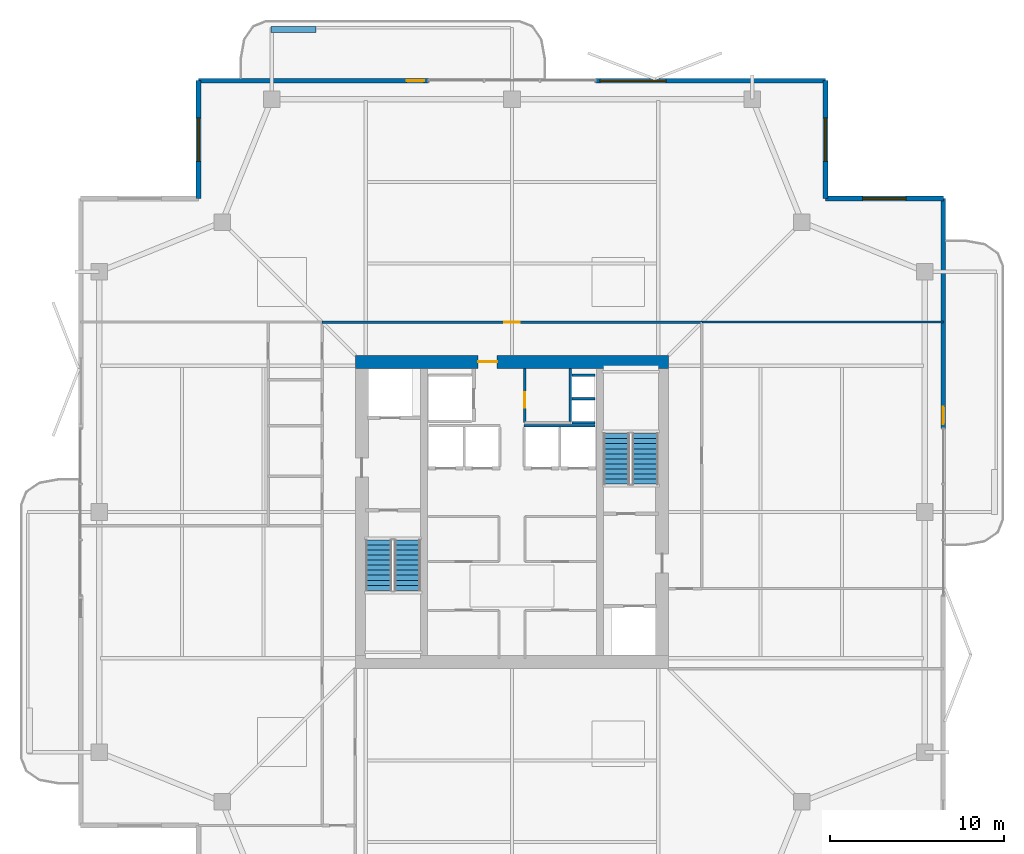
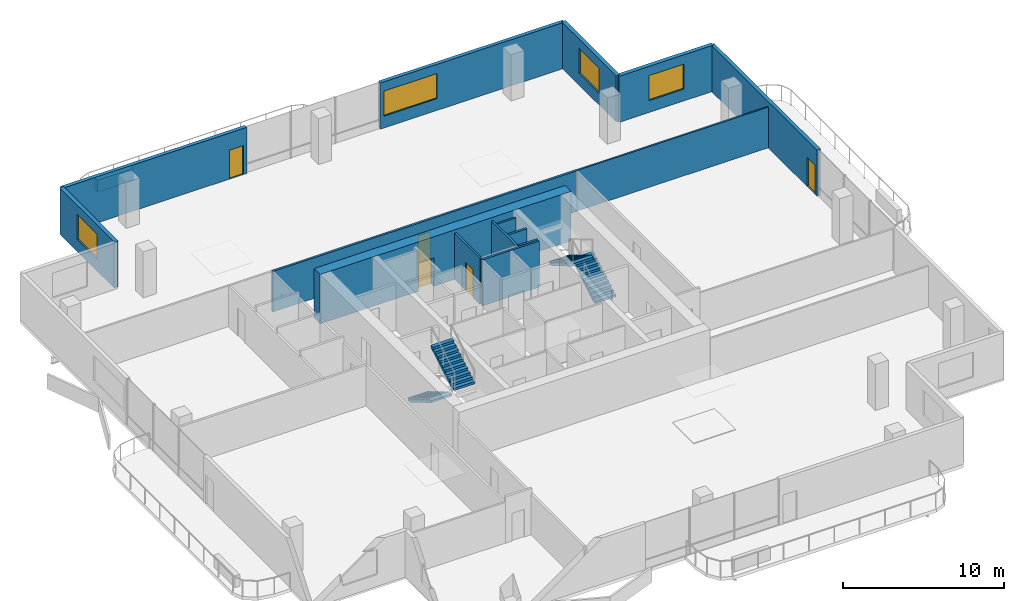
# One storey, part 20 of 24: 16 walls, 5 doors, 4 stair flights, 4 windows, 9 openings, 2 elements without a shape of their own.
"""IFC4 building model written with IfcOpenShell, lengths in metres."""

from ifc_helpers import new_model, si_unit, direction, frame, frame_2d, origin, place, context, subcontext, project, spatial, polyline, rectangle, outline, extrude, material, layer, layer_set, type_object, element, fill, aggregate, save


model = new_model("IFC4")

# Units and contexts
model_context = context("Model", 3, precision=1e-05, world=origin(), true_north=direction((0.0, 1.0)))
body_context = subcontext(model_context, "Body", "Model", "MODEL_VIEW")
ifc_project = project(units=[si_unit("LENGTHUNIT", "METRE"), si_unit("AREAUNIT", "SQUARE_METRE"), si_unit("VOLUMEUNIT", "CUBIC_METRE"), si_unit("PLANEANGLEUNIT", "RADIAN"), si_unit("MASSUNIT", "GRAM", prefix="KILO")], contexts=[model_context])

# Site, building, storey
site_placement = place(None, origin())
site = spatial("IfcSite", under=ifc_project, at=site_placement, CompositionType="ELEMENT")
building_placement = place(site_placement, origin())
building = spatial("IfcBuilding", under=site, at=building_placement, Name="Belovzor Exchange Tower", CompositionType="ELEMENT")
storey_placement = place(building_placement, frame((0.0, 0.0, 261.60009765625)))
storey = spatial("IfcBuildingStorey", under=building, at=storey_placement, Name="L65", CompositionType="ELEMENT", Elevation=261.60009765625)

# Wall
ifc_material_1 = material(Name="Acoustic Plasterboard on Galvanised Studs", Category="gypsum")
ifc_layer_1 = layer(ifc_material_1, 0.1201171875)
ifc_layer_set_1 = layer_set([ifc_layer_1], Name="Acoustic Plasterboard on Galvanised Studs")
wall_type_1 = type_object("IfcWallType", Name="Acoustic Double-Stud Partition Wall 120", PredefinedType="PARTITIONING", material=ifc_layer_set_1)
wall_1_placement = place(storey_placement, frame((39.699951171875, 39.699951171875, 0.0), z_axis=(0.0, 0.0, 1.0), x_axis=(1.0, 0.0, 0.0)))
element("IfcWall", 1, at=wall_1_placement, inside=storey, type_object=wall_type_1, Name="W-P120 Partition Wall W-L65-END-NE", PredefinedType="PARTITIONING", context=body_context, shape_type="SweptSolid", body=[
    extrude(rectangle(XDim=13.8701171875, YDim=0.1201171875, at=frame_2d((6.93505859375, 0.0))), origin(), (0.0, 0.0, 1.0), 3.0849609375),
])

# Wall, opening, door
ifc_material_2 = material(Name="Fire-Rated Gypsum Block and Mineral Wool", Category="gypsum")
ifc_layer_2 = layer(ifc_material_2, 0.14990234375)
ifc_layer_set_2 = layer_set([ifc_layer_2], Name="Fire-Rated Gypsum Block and Mineral Wool")
wall_type_2 = type_object("IfcWallType", Name="Fire-Rated Gypsum Block Corridor Wall 150", PredefinedType="PARTITIONING", material=ifc_layer_set_2)
wall_2_placement = place(storey_placement, frame((29.52490234375, 33.925048828125, 0.0), z_axis=(0.0, 0.0, 1.0), x_axis=(0.0, 1.0, 0.0)))
wall_2 = element("IfcWall", 2, at=wall_2_placement, inside=storey, type_object=wall_type_2, Name="W-P150 Partition Wall W-CRV-L65-W", PredefinedType="PARTITIONING", context=body_context, shape_type="SweptSolid", body=[
    extrude(rectangle(XDim=3.125, YDim=0.14990234375, at=frame_2d((1.5625, 0.0))), origin(), (0.0, 0.0, 1.0), 3.5),
])
opening_1_placement = place(wall_2_placement, frame((0.85009765625, 0.0, 0.0)))
opening_1 = element("IfcOpeningElement", 3, at=opening_1_placement, cuts=wall_2, Name="Opening D-FD60-090", PredefinedType="OPENING", context=body_context, shape_type="SweptSolid", body=[
    extrude(rectangle(XDim=0.89990234375, YDim=2.10009765625, at=frame_2d((0.449951171875, 1.050048828125))), frame((0.0, 0.0849609375, 0.0), z_axis=(0.0, -1.0, 0.0), x_axis=(1.0, 0.0, 0.0)), (0.0, 0.0, 1.0), 0.169921875),
])
ifc_material_3 = material(Name="Acoustic Timber Fire Leaf", Category="wood")
door_type_1 = type_object("IfcDoorType", Name="Core Service & Restroom Fire Door 900x2100", OperationType="NOTDEFINED", PredefinedType="DOOR", material=ifc_material_3)
door_1_placement = place(opening_1_placement, origin())
door_1 = element("IfcDoor", 4, at=door_1_placement, inside=storey, type_object=door_type_1, Name="D-FD60-090 Core Service & Restroom Fire Door 900x2100", OperationType="SINGLE_SWING_LEFT", OverallHeight=2.10009765625, OverallWidth=0.89990234375, PredefinedType="DOOR", context=body_context, shape_type="SweptSolid", body=[
    extrude(rectangle(XDim=0.89990234375, YDim=2.10009765625, at=frame_2d((0.449951171875, 1.050048828125))), frame((0.0, 0.02490234375, 0.0), z_axis=(0.0, -1.0, 0.0), x_axis=(1.0, 0.0, 0.0)), (0.0, 0.0, 1.0), 0.050048828125),
])
fill(opening_1, door_1)

wall_3_placement = place(storey_placement, frame((17.89990234375, 39.699951171875, 0.0), z_axis=(0.0, 0.0, 1.0), x_axis=(1.0, 0.0, 0.0)))
wall_3 = element("IfcWall", 5, at=wall_3_placement, inside=storey, type_object=wall_type_2, Name="W-P150 Partition Wall W-L65-CN", PredefinedType="PARTITIONING", context=body_context, shape_type="SweptSolid", body=[
    extrude(rectangle(XDim=21.800048828125, YDim=0.14990234375, at=frame_2d((10.89990234375, 0.0))), origin(), (0.0, 0.0, 1.0), 3.0849609375),
])
opening_2_placement = place(wall_3_placement, frame((10.449951171875, 0.0, 0.0)))
opening_2 = element("IfcOpeningElement", 6, at=opening_2_placement, cuts=wall_3, Name="Opening D-INT-090", PredefinedType="OPENING", context=body_context, shape_type="SweptSolid", body=[
    extrude(rectangle(XDim=0.89990234375, YDim=2.10009765625, at=frame_2d((0.449951171875, 1.050048828125))), frame((0.0, 0.0849609375, 0.0), z_axis=(0.0, -1.0, 0.0), x_axis=(1.0, 0.0, 0.0)), (0.0, 0.0, 1.0), 0.169921875),
])
ifc_material_4 = material(Name="Veneered Hardwood Acoustic Leaf", Category="wood")
door_type_2 = type_object("IfcDoorType", Name="Trading Suite Acoustic Single Door 900x2100", OperationType="NOTDEFINED", PredefinedType="DOOR", material=ifc_material_4)
door_2_placement = place(opening_2_placement, origin())
door_2 = element("IfcDoor", 7, at=door_2_placement, inside=storey, type_object=door_type_2, Name="D-INT-090 Trading Suite Acoustic Single Door 900x2100", OperationType="SINGLE_SWING_LEFT", OverallHeight=2.10009765625, OverallWidth=0.89990234375, PredefinedType="DOOR", context=body_context, shape_type="SweptSolid", body=[
    extrude(rectangle(XDim=0.89990234375, YDim=2.10009765625, at=frame_2d((0.449951171875, 1.050048828125))), frame((0.0, 0.02490234375, 0.0), z_axis=(0.0, -1.0, 0.0), x_axis=(1.0, 0.0, 0.0)), (0.0, 0.0, 1.0), 0.050048828125),
])
fill(opening_2, door_2)

# Wall, opening, window
ifc_material_5 = material(Name="Precast concrete C40/50", Category="concrete")
ifc_layer_3 = layer(ifc_material_5, 0.280029296875)
ifc_layer_set_3 = layer_set([ifc_layer_3], Name="Precast concrete C40/50")
wall_type_3 = type_object("IfcWallType", Name="Precast Concrete Notched Corner Frame Wall 280", PredefinedType="SOLIDWALL", material=ifc_layer_set_3)
wall_4_placement = place(storey_placement, frame((10.800048828125, 46.800048828125, 0.0), z_axis=(0.0, 0.0, 1.0), x_axis=(0.0, 1.0, 0.0)))
wall_4 = element("IfcWall", 8, at=wall_4_placement, inside=storey, type_object=wall_type_3, Name="W-CRN280 Precast Concrete Notched Corner Frame Wall 280 L65", PredefinedType="SOLIDWALL", context=body_context, shape_type="SweptSolid", body=[
    extrude(rectangle(XDim=6.77001953125, YDim=0.280029296875, at=frame_2d((3.385009765625, 0.0))), origin(), (0.0, 0.0, 1.0), 3.5),
])
opening_3_placement = place(wall_4_placement, frame((2.135009765625, 0.0, 0.89990234375)))
opening_3 = element("IfcOpeningElement", 9, at=opening_3_placement, cuts=wall_4, Name="Opening WN-CRN250", PredefinedType="OPENING", context=body_context, shape_type="SweptSolid", body=[
    extrude(rectangle(XDim=2.5, YDim=1.89990234375, at=frame_2d((1.25, 0.949951171875))), frame((0.0, 0.14990234375, 0.0), z_axis=(0.0, -1.0, 0.0), x_axis=(1.0, 0.0, 0.0)), (0.0, 0.0, 1.0), 0.300048828125),
])
ifc_material_6 = material(Name="Thermally Broken Aluminium and Triple Glazing", Category="aluminium")
window_type_1 = type_object("IfcWindowType", Name="Streamline Moderne Corner Wrap Ribbon Window 2500x1900", PartitioningType="SINGLE_PANEL", PredefinedType="WINDOW", material=ifc_material_6)
window_1_placement = place(opening_3_placement, origin())
window_1 = element("IfcWindow", 10, at=window_1_placement, inside=storey, type_object=window_type_1, Name="WN-CRN250 Streamline Moderne Corner Wrap Ribbon Window 2500x1900", OverallHeight=1.89990234375, OverallWidth=2.5, PartitioningType="SINGLE_PANEL", PredefinedType="WINDOW", context=body_context, shape_type="SweptSolid", body=[
    extrude(rectangle(XDim=2.5, YDim=1.89990234375, at=frame_2d((1.25, 0.949951171875))), frame((0.0, 0.030029296875, 0.0), z_axis=(0.0, -1.0, 0.0), x_axis=(1.0, 0.0, 0.0)), (0.0, 0.0, 1.0), 0.06005859375),
])
fill(opening_3, window_1)

wall_5_placement = place(storey_placement, frame((46.800048828125, 53.570068359375, 0.0), z_axis=(0.0, 0.0, 1.0), x_axis=(0.0, -1.0, 0.0)))
wall_5 = element("IfcWall", 11, at=wall_5_placement, inside=storey, type_object=wall_type_3, Name="W-CRN280 Precast Concrete Notched Corner Frame Wall 280 L65", PredefinedType="SOLIDWALL", context=body_context, shape_type="SweptSolid", body=[
    extrude(rectangle(XDim=6.77001953125, YDim=0.280029296875, at=frame_2d((3.385009765625, 0.0))), origin(), (0.0, 0.0, 1.0), 3.5),
])
opening_4_placement = place(wall_5_placement, frame((2.135009765625, 0.0, 0.89990234375)))
opening_4 = element("IfcOpeningElement", 12, at=opening_4_placement, cuts=wall_5, Name="Opening WN-CRN250", PredefinedType="OPENING", context=body_context, shape_type="SweptSolid", body=[
    extrude(rectangle(XDim=2.5, YDim=1.89990234375, at=frame_2d((1.25, 0.949951171875))), frame((0.0, 0.14990234375, 0.0), z_axis=(0.0, -1.0, 0.0), x_axis=(1.0, 0.0, 0.0)), (0.0, 0.0, 1.0), 0.300048828125),
])
window_2_placement = place(opening_4_placement, origin())
window_2 = element("IfcWindow", 13, at=window_2_placement, inside=storey, type_object=window_type_1, Name="WN-CRN250 Streamline Moderne Corner Wrap Ribbon Window 2500x1900", OverallHeight=1.89990234375, OverallWidth=2.5, PartitioningType="SINGLE_PANEL", PredefinedType="WINDOW", context=body_context, shape_type="SweptSolid", body=[
    extrude(rectangle(XDim=2.5, YDim=1.89990234375, at=frame_2d((1.25, 0.949951171875))), frame((0.0, 0.030029296875, 0.0), z_axis=(0.0, -1.0, 0.0), x_axis=(1.0, 0.0, 0.0)), (0.0, 0.0, 1.0), 0.06005859375),
])
fill(opening_4, window_2)

wall_6_placement = place(storey_placement, frame((46.800048828125, 46.800048828125, 0.0), z_axis=(0.0, 0.0, 1.0), x_axis=(1.0, 0.0, 0.0)))
wall_6 = element("IfcWall", 14, at=wall_6_placement, inside=storey, type_object=wall_type_3, Name="W-CRN280 Precast Concrete Notched Corner Frame Wall 280 L65", PredefinedType="SOLIDWALL", context=body_context, shape_type="SweptSolid", body=[
    extrude(rectangle(XDim=6.77001953125, YDim=0.280029296875, at=frame_2d((3.385009765625, 0.0))), origin(), (0.0, 0.0, 1.0), 3.5),
])
opening_5_placement = place(wall_6_placement, frame((2.135009765625, 0.0, 0.89990234375)))
opening_5 = element("IfcOpeningElement", 15, at=opening_5_placement, cuts=wall_6, Name="Opening WN-CRN250", PredefinedType="OPENING", context=body_context, shape_type="SweptSolid", body=[
    extrude(rectangle(XDim=2.5, YDim=1.89990234375, at=frame_2d((1.25, 0.949951171875))), frame((0.0, 0.14990234375, 0.0), z_axis=(0.0, -1.0, 0.0), x_axis=(1.0, 0.0, 0.0)), (0.0, 0.0, 1.0), 0.300048828125),
])
window_3_placement = place(opening_5_placement, origin())
window_3 = element("IfcWindow", 16, at=window_3_placement, inside=storey, type_object=window_type_1, Name="WN-CRN250 Streamline Moderne Corner Wrap Ribbon Window 2500x1900", OverallHeight=1.89990234375, OverallWidth=2.5, PartitioningType="SINGLE_PANEL", PredefinedType="WINDOW", context=body_context, shape_type="SweptSolid", body=[
    extrude(rectangle(XDim=2.5, YDim=1.89990234375, at=frame_2d((1.25, 0.949951171875))), frame((0.0, 0.030029296875, 0.0), z_axis=(0.0, -1.0, 0.0), x_axis=(1.0, 0.0, 0.0)), (0.0, 0.0, 1.0), 0.06005859375),
])
fill(opening_5, window_3)

# Wall, opening, door
ifc_material_7 = material(Name="Precast concrete C40/50", Category="concrete")
ifc_layer_4 = layer(ifc_material_7, 0.260009765625)
ifc_layer_set_4 = layer_set([ifc_layer_4], Name="Precast concrete C40/50")
wall_type_4 = type_object("IfcWallType", Name="Precast Concrete Perimeter Loggia Frame Wall 260", PredefinedType="SOLIDWALL", material=ifc_layer_set_4)
wall_7_placement = place(storey_placement, frame((10.800048828125, 53.570068359375, 0.0), z_axis=(0.0, 0.0, 1.0), x_axis=(1.0, 0.0, 0.0)))
wall_7 = element("IfcWall", 17, at=wall_7_placement, inside=storey, type_object=wall_type_4, Name="W-EXT260 Precast Concrete Perimeter Loggia Frame Wall 260 L65", PredefinedType="SOLIDWALL", context=body_context, shape_type="SweptSolid", body=[
    extrude(rectangle(XDim=13.199951171875, YDim=0.260009765625, at=frame_2d((6.60009765625, 0.0))), origin(), (0.0, 0.0, 1.0), 3.5),
])
opening_6_placement = place(wall_7_placement, frame((11.949951171875, 0.0, 0.0)))
opening_6 = element("IfcOpeningElement", 18, at=opening_6_placement, cuts=wall_7, Name="Opening D-BAL100", PredefinedType="OPENING", context=body_context, shape_type="SweptSolid", body=[
    extrude(rectangle(XDim=1.0, YDim=2.199951171875, at=frame_2d((0.5, 1.10009765625))), frame((0.0, 0.139892578125, 0.0), z_axis=(0.0, -1.0, 0.0), x_axis=(1.0, 0.0, 0.0)), (0.0, 0.0, 1.0), 0.280029296875),
])
ifc_material_8 = material(Name="Thermally Broken Anodised Aluminium and Laminated Glass", Category="aluminium")
door_type_3 = type_object("IfcDoorType", Name="Planted Loggia Terrace Glazed Door 1000x2200", OperationType="SINGLE_SWING_LEFT", PredefinedType="DOOR", material=ifc_material_8)
door_3_placement = place(opening_6_placement, origin())
door_3 = element("IfcDoor", 19, at=door_3_placement, inside=storey, type_object=door_type_3, Name="D-BAL100 Balcony Terrace Door L65 N", OperationType="SINGLE_SWING_RIGHT", OverallHeight=2.199951171875, OverallWidth=1.0, PredefinedType="DOOR", context=body_context, shape_type="SweptSolid", body=[
    extrude(rectangle(XDim=1.0, YDim=2.199951171875, at=frame_2d((0.5, 1.10009765625))), frame((0.0, 0.02490234375, 0.0), z_axis=(0.0, -1.0, 0.0), x_axis=(1.0, 0.0, 0.0)), (0.0, 0.0, 1.0), 0.050048828125),
])
fill(opening_6, door_3)

# Wall, opening, window
wall_8_placement = place(storey_placement, frame((33.60009765625, 53.570068359375, 0.0), z_axis=(0.0, 0.0, 1.0), x_axis=(1.0, 0.0, 0.0)))
wall_8 = element("IfcWall", 20, at=wall_8_placement, inside=storey, type_object=wall_type_4, Name="W-EXT260 Precast Concrete Perimeter Loggia Frame Wall 260 L65", PredefinedType="SOLIDWALL", context=body_context, shape_type="SweptSolid", body=[
    extrude(rectangle(XDim=13.199951171875, YDim=0.260009765625, at=frame_2d((6.60009765625, 0.0))), origin(), (0.0, 0.0, 1.0), 3.5),
])
opening_7_placement = place(wall_8_placement, frame((0.25, 0.0, 0.89990234375)))
opening_7 = element("IfcOpeningElement", 21, at=opening_7_placement, cuts=wall_8, Name="Opening WN-RIB380", PredefinedType="OPENING", context=body_context, shape_type="SweptSolid", body=[
    extrude(rectangle(XDim=3.800048828125, YDim=1.89990234375, at=frame_2d((1.89990234375, 0.949951171875))), frame((0.0, 0.139892578125, 0.0), z_axis=(0.0, -1.0, 0.0), x_axis=(1.0, 0.0, 0.0)), (0.0, 0.0, 1.0), 0.280029296875),
])
ifc_material_9 = material(Name="Thermally Broken Aluminium and Triple Glazing", Category="aluminium")
window_type_2 = type_object("IfcWindowType", Name="Streamline Moderne Horizontal Ribbon Window 3800x1900", PartitioningType="SINGLE_PANEL", PredefinedType="WINDOW", material=ifc_material_9)
window_4_placement = place(opening_7_placement, origin())
window_4 = element("IfcWindow", 22, at=window_4_placement, inside=storey, type_object=window_type_2, Name="WN-RIB380 Streamline Moderne Horizontal Ribbon Window 3800x1900", OverallHeight=1.89990234375, OverallWidth=3.800048828125, PartitioningType="SINGLE_PANEL", PredefinedType="WINDOW", context=body_context, shape_type="SweptSolid", body=[
    extrude(rectangle(XDim=3.800048828125, YDim=1.89990234375, at=frame_2d((1.89990234375, 0.949951171875))), frame((0.0, 0.030029296875, 0.0), z_axis=(0.0, -1.0, 0.0), x_axis=(1.0, 0.0, 0.0)), (0.0, 0.0, 1.0), 0.06005859375),
])
fill(opening_7, window_4)

# Wall, opening, door
wall_9_placement = place(storey_placement, frame((53.570068359375, 46.800048828125, 0.0), z_axis=(0.0, 0.0, 1.0), x_axis=(0.0, -1.0, 0.0)))
wall_9 = element("IfcWall", 23, at=wall_9_placement, inside=storey, type_object=wall_type_4, Name="W-EXT260 Precast Concrete Perimeter Loggia Frame Wall 260 L65", PredefinedType="SOLIDWALL", context=body_context, shape_type="SweptSolid", body=[
    extrude(rectangle(XDim=13.199951171875, YDim=0.260009765625, at=frame_2d((6.60009765625, 0.0))), origin(), (0.0, 0.0, 1.0), 3.5),
])
opening_8_placement = place(wall_9_placement, frame((11.949951171875, 0.0, 0.0)))
opening_8 = element("IfcOpeningElement", 24, at=opening_8_placement, cuts=wall_9, Name="Opening D-BAL100", PredefinedType="OPENING", context=body_context, shape_type="SweptSolid", body=[
    extrude(rectangle(XDim=1.0, YDim=2.199951171875, at=frame_2d((0.5, 1.10009765625))), frame((0.0, 0.139892578125, 0.0), z_axis=(0.0, -1.0, 0.0), x_axis=(1.0, 0.0, 0.0)), (0.0, 0.0, 1.0), 0.280029296875),
])
door_4_placement = place(opening_8_placement, origin())
door_4 = element("IfcDoor", 25, at=door_4_placement, inside=storey, type_object=door_type_3, Name="D-BAL100 Balcony Terrace Door L65 E", OperationType="SINGLE_SWING_LEFT", OverallHeight=2.199951171875, OverallWidth=1.0, PredefinedType="DOOR", context=body_context, shape_type="SweptSolid", body=[
    extrude(rectangle(XDim=1.0, YDim=2.199951171875, at=frame_2d((0.5, 1.10009765625))), frame((0.0, 0.02490234375, 0.0), z_axis=(0.0, -1.0, 0.0), x_axis=(1.0, 0.0, 0.0)), (0.0, 0.0, 1.0), 0.050048828125),
])
fill(opening_8, door_4)

# Walls
ifc_material_10 = material(Name="Precast concrete C40/50", Category="concrete")
ifc_layer_5 = layer(ifc_material_10, 0.35009765625)
ifc_layer_set_5 = layer_set([ifc_layer_5], Name="Precast concrete C40/50")
wall_type_5 = type_object("IfcWallType", Name="Precast Concrete Structural Tree Planter Trough 350", PredefinedType="PARAPET", material=ifc_layer_set_5)
wall_10_placement = place(storey_placement, frame((14.949951171875, 56.5, 0.0), z_axis=(0.0, 0.0, 1.0), x_axis=(1.0, 0.0, 0.0)))
element("IfcWall", 26, at=wall_10_placement, inside=storey, type_object=wall_type_5, Name="PT-350 Precast Concrete Structural Tree Planter Trough 350 L65", PredefinedType="PARAPET", context=body_context, shape_type="SweptSolid", body=[
    extrude(rectangle(XDim=2.60009765625, YDim=0.35009765625, at=frame_2d((1.300048828125, 0.0))), origin(), (0.0, 0.0, 1.0), 0.89990234375),
])
ifc_material_11 = material(Name="Concrete C50/60", Category="concrete")
ifc_layer_6 = layer(ifc_material_11, 0.14990234375)
ifc_layer_set_6 = layer_set([ifc_layer_6], Name="Concrete C50/60")
wall_type_6 = type_object("IfcWallType", Name="Reinforced Concrete Core Riser Shear Wall 150", PredefinedType="SHEAR", material=ifc_layer_set_6)
wall_11_placement = place(storey_placement, frame((32.14990234375, 34.0, 0.0), z_axis=(0.0, 0.0, 1.0), x_axis=(0.0, 1.0, 0.0)))
element("IfcWall", 27, at=wall_11_placement, inside=storey, type_object=wall_type_6, Name="W-C150S Core Shaft Wall W-RSR-L65-E", PredefinedType="SHEAR", context=body_context, shape_type="SweptSolid", body=[
    extrude(rectangle(XDim=3.050048828125, YDim=0.14990234375, at=frame_2d((1.52490234375, 0.0))), origin(), (0.0, 0.0, 1.0), 3.5),
])
for number, where, z_axis, x_axis, name in (
    (28, (32.25, 33.925048828125, 0.0), (0.0, 0.0, 1.0), (1.0, 0.0, 0.0), "W-C150S Core Shaft Wall W-RSR-L65-S"),
    (29, (32.25, 35.300048828125, 0.0), (0.0, 0.0, 1.0), (1.0, 0.0, 0.0), "W-C150S Core Shaft Wall W-RSR-L65-M"),
    (30, (32.25, 36.64990234375, 0.0), (0.0, 0.0, 1.0), (1.0, 0.0, 0.0), "W-C150S Core Shaft Wall W-RSR-L65-N"),
):
    element("IfcWall", number, at=place(storey_placement, frame(where, z_axis=z_axis, x_axis=x_axis)), inside=storey, type_object=wall_type_6, Name=name, PredefinedType="SHEAR", context=body_context, shape_type="SweptSolid", body=[
        extrude(rectangle(XDim=1.330078125, YDim=0.14990234375, at=frame_2d((0.6650390625, 0.0))), origin(), (0.0, 0.0, 1.0), 3.5),
    ])
wall_12_placement = place(storey_placement, frame((29.5, 33.760009765625, 0.0), z_axis=(0.0, 0.0, 1.0), x_axis=(1.0, 0.0, 0.0)))
element("IfcWall", 31, at=wall_12_placement, inside=storey, type_object=wall_type_6, Name="W-C150S Core Shaft Wall W-SHB-L65-PLH-NE", PredefinedType="SHEAR", context=body_context, shape_type="SweptSolid", body=[
    extrude(rectangle(XDim=4.080078125, YDim=0.14990234375, at=frame_2d((2.0400390625, 0.0))), origin(), (0.0, 0.0, 1.0), 3.5),
])

# Wall, opening, door
ifc_material_12 = material(Name="Concrete C50/60", Category="concrete")
ifc_layer_7 = layer(ifc_material_12, 0.75)
ifc_layer_set_7 = layer_set([ifc_layer_7], Name="Concrete C50/60")
wall_type_7 = type_object("IfcWallType", Name="Reinforced Concrete Core Shear Wall 750", PredefinedType="SHEAR", material=ifc_layer_set_7)
wall_13_placement = place(storey_placement, frame((19.800048828125, 37.425048828125, 0.0), z_axis=(0.0, 0.0, 1.0), x_axis=(1.0, 0.0, 0.0)))
wall_13 = element("IfcWall", 32, at=wall_13_placement, inside=storey, type_object=wall_type_7, Name="CW-S075 Core Shear Wall L65 N", PredefinedType="SHEAR", context=body_context, shape_type="SweptSolid", body=[
    extrude(rectangle(XDim=18.0, YDim=0.75, at=frame_2d((9.0, 0.0))), origin(), (0.0, 0.0, 1.0), 3.75),
])
opening_9_placement = place(wall_13_placement, frame((7.050048828125, 0.0, 0.0)))
opening_9 = element("IfcOpeningElement", 33, at=opening_9_placement, cuts=wall_13, Name="Opening D-FD90-110", PredefinedType="OPENING", context=body_context, shape_type="SweptSolid", body=[
    extrude(rectangle(XDim=1.10009765625, YDim=2.14990234375, at=frame_2d((0.550048828125, 1.074951171875))), frame((0.0, 0.385009765625, 0.0), z_axis=(0.0, -1.0, 0.0), x_axis=(1.0, 0.0, 0.0)), (0.0, 0.0, 1.0), 0.77001953125),
])
ifc_material_13 = material(Name="Fire-Rated Galvanised Steel Leaf", Category="steel")
door_type_4 = type_object("IfcDoorType", Name="Protected Escape Vestibule Fire Door 1100x2150", OperationType="NOTDEFINED", PredefinedType="DOOR", material=ifc_material_13)
door_5_placement = place(opening_9_placement, origin())
door_5 = element("IfcDoor", 34, at=door_5_placement, inside=storey, type_object=door_type_4, Name="D-FD90-110 Protected Escape Vestibule Fire Door 1100x2150", OperationType="SINGLE_SWING_LEFT", OverallHeight=2.14990234375, OverallWidth=1.10009765625, PredefinedType="DOOR", context=body_context, shape_type="SweptSolid", body=[
    extrude(rectangle(XDim=1.10009765625, YDim=2.14990234375, at=frame_2d((0.550048828125, 1.074951171875))), frame((0.0, 0.02490234375, 0.0), z_axis=(0.0, -1.0, 0.0), x_axis=(1.0, 0.0, 0.0)), (0.0, 0.0, 1.0), 0.050048828125),
])
fill(opening_9, door_5)

# Stair, stair flights
ifc_material_14 = material(Name="Concrete C40/50", Category="concrete")
stair_type = type_object("IfcStairType", Name="Reinforced Concrete Dogleg Escape Stair 1350", PredefinedType="HALF_TURN_STAIR", material=ifc_material_14)
stair_1_placement = place(storey_placement, origin())
stair_1 = element("IfcStair", 35, at=stair_1_placement, inside=storey, type_object=stair_type, Name="L65 ST-1", PredefinedType="HALF_TURN_STAIR")
ifc_material_15 = material(Name="Concrete C40/50", Category="concrete")
stair_flight_type = type_object("IfcStairFlightType", Name="Reinforced Concrete Stair Flight 1350", PredefinedType="STRAIGHT", material=ifc_material_15)
stair_flight_1_placement = place(storey_placement, frame((21.14990234375, 27.199951171875, 0.0), z_axis=(0.0, 0.0, 1.0), x_axis=(0.0, -1.0, 0.0)))
stair_flight_1 = element("IfcStairFlight", 36, at=stair_flight_1_placement, type_object=stair_flight_type, Name="ST-1 flight 1", NumberOfRisers=11, NumberOfTreads=10, PredefinedType="STRAIGHT", RiserHeight=0.170454545, TreadLength=0.29, context=body_context, shape_type="SweptSolid", body=[
    extrude(outline(polyline([(0.0, 0.0), (0.0, 0.17041015625), (0.2900390625, 0.17041015625), (0.2900390625, 0.3408203125), (0.580078125, 0.3408203125), (0.580078125, 0.511474609375), (0.8701171875, 0.511474609375), (0.8701171875, 0.681884765625), (1.159912109375, 0.681884765625), (1.159912109375, 0.852294921875), (1.449951171875, 0.852294921875), (1.449951171875, 1.022705078125), (1.739990234375, 1.022705078125), (1.739990234375, 1.193115234375), (2.030029296875, 1.193115234375), (2.030029296875, 1.363525390625), (2.320068359375, 1.363525390625), (2.320068359375, 1.5341796875), (2.610107421875, 1.5341796875), (2.610107421875, 1.70458984375), (2.89990234375, 1.70458984375), (2.89990234375, 1.875), (2.89990234375, 1.53076171875), (0.2958984375, 0.0), (0.0, 0.0)])), frame((0.0, 0.75, 0.0), z_axis=(0.0, -1.0, 0.0), x_axis=(1.0, 0.0, 0.0)), (0.0, 0.0, 1.0), 1.5),
])
stair_flight_2_placement = place(storey_placement, frame((22.800048828125, 24.300048828125, 1.875), z_axis=(0.0, 0.0, 1.0), x_axis=(0.0, 1.0, 0.0)))
stair_flight_2 = element("IfcStairFlight", 37, at=stair_flight_2_placement, type_object=stair_flight_type, Name="ST-1 flight 2", NumberOfRisers=11, NumberOfTreads=10, PredefinedType="STRAIGHT", RiserHeight=0.170454545, TreadLength=0.29, context=body_context, shape_type="SweptSolid", body=[
    extrude(outline(polyline([(0.0, 0.0), (0.0, 0.17041015625), (0.2900390625, 0.17041015625), (0.2900390625, 0.3408203125), (0.580078125, 0.3408203125), (0.580078125, 0.511474609375), (0.8701171875, 0.511474609375), (0.8701171875, 0.681884765625), (1.159912109375, 0.681884765625), (1.159912109375, 0.852294921875), (1.449951171875, 0.852294921875), (1.449951171875, 1.022705078125), (1.739990234375, 1.022705078125), (1.739990234375, 1.193115234375), (2.030029296875, 1.193115234375), (2.030029296875, 1.363525390625), (2.320068359375, 1.363525390625), (2.320068359375, 1.5341796875), (2.610107421875, 1.5341796875), (2.610107421875, 1.70458984375), (2.89990234375, 1.70458984375), (2.89990234375, 1.875), (2.89990234375, 1.53076171875), (0.2958984375, 0.0), (0.0, 0.0)])), frame((0.0, 0.75, 0.0), z_axis=(0.0, -1.0, 0.0), x_axis=(1.0, 0.0, 0.0)), (0.0, 0.0, 1.0), 1.5),
])
aggregate(stair_1, [stair_flight_1, stair_flight_2])

stair_2_placement = place(storey_placement, origin())
stair_2 = element("IfcStair", 38, at=stair_2_placement, inside=storey, type_object=stair_type, Name="L65 ST-2", PredefinedType="HALF_TURN_STAIR")
stair_flight_3_placement = place(storey_placement, frame((36.449951171875, 30.39990234375, 0.0), z_axis=(0.0, 0.0, 1.0), x_axis=(0.0, 1.0, 0.0)))
stair_flight_3 = element("IfcStairFlight", 39, at=stair_flight_3_placement, type_object=stair_flight_type, Name="ST-2 flight 1", NumberOfRisers=11, NumberOfTreads=10, PredefinedType="STRAIGHT", RiserHeight=0.170454545, TreadLength=0.29, context=body_context, shape_type="SweptSolid", body=[
    extrude(outline(polyline([(0.0, 0.0), (0.0, 0.17041015625), (0.2900390625, 0.17041015625), (0.2900390625, 0.3408203125), (0.580078125, 0.3408203125), (0.580078125, 0.511474609375), (0.8701171875, 0.511474609375), (0.8701171875, 0.681884765625), (1.159912109375, 0.681884765625), (1.159912109375, 0.852294921875), (1.449951171875, 0.852294921875), (1.449951171875, 1.022705078125), (1.739990234375, 1.022705078125), (1.739990234375, 1.193115234375), (2.030029296875, 1.193115234375), (2.030029296875, 1.363525390625), (2.320068359375, 1.363525390625), (2.320068359375, 1.5341796875), (2.610107421875, 1.5341796875), (2.610107421875, 1.70458984375), (2.89990234375, 1.70458984375), (2.89990234375, 1.875), (2.89990234375, 1.53076171875), (0.2958984375, 0.0), (0.0, 0.0)])), frame((0.0, 0.75, 0.0), z_axis=(0.0, -1.0, 0.0), x_axis=(1.0, 0.0, 0.0)), (0.0, 0.0, 1.0), 1.5),
])
stair_flight_4_placement = place(storey_placement, frame((34.800048828125, 33.300048828125, 1.875), z_axis=(0.0, 0.0, 1.0), x_axis=(0.0, -1.0, 0.0)))
stair_flight_4 = element("IfcStairFlight", 40, at=stair_flight_4_placement, type_object=stair_flight_type, Name="ST-2 flight 2", NumberOfRisers=11, NumberOfTreads=10, PredefinedType="STRAIGHT", RiserHeight=0.170454545, TreadLength=0.29, context=body_context, shape_type="SweptSolid", body=[
    extrude(outline(polyline([(0.0, 0.0), (0.0, 0.17041015625), (0.2900390625, 0.17041015625), (0.2900390625, 0.3408203125), (0.580078125, 0.3408203125), (0.580078125, 0.511474609375), (0.8701171875, 0.511474609375), (0.8701171875, 0.681884765625), (1.159912109375, 0.681884765625), (1.159912109375, 0.852294921875), (1.449951171875, 0.852294921875), (1.449951171875, 1.022705078125), (1.739990234375, 1.022705078125), (1.739990234375, 1.193115234375), (2.030029296875, 1.193115234375), (2.030029296875, 1.363525390625), (2.320068359375, 1.363525390625), (2.320068359375, 1.5341796875), (2.610107421875, 1.5341796875), (2.610107421875, 1.70458984375), (2.89990234375, 1.70458984375), (2.89990234375, 1.875), (2.89990234375, 1.53076171875), (0.2958984375, 0.0), (0.0, 0.0)])), frame((0.0, 0.75, 0.0), z_axis=(0.0, -1.0, 0.0), x_axis=(1.0, 0.0, 0.0)), (0.0, 0.0, 1.0), 1.5),
])
aggregate(stair_2, [stair_flight_3, stair_flight_4])

save(model, "model.ifc")
